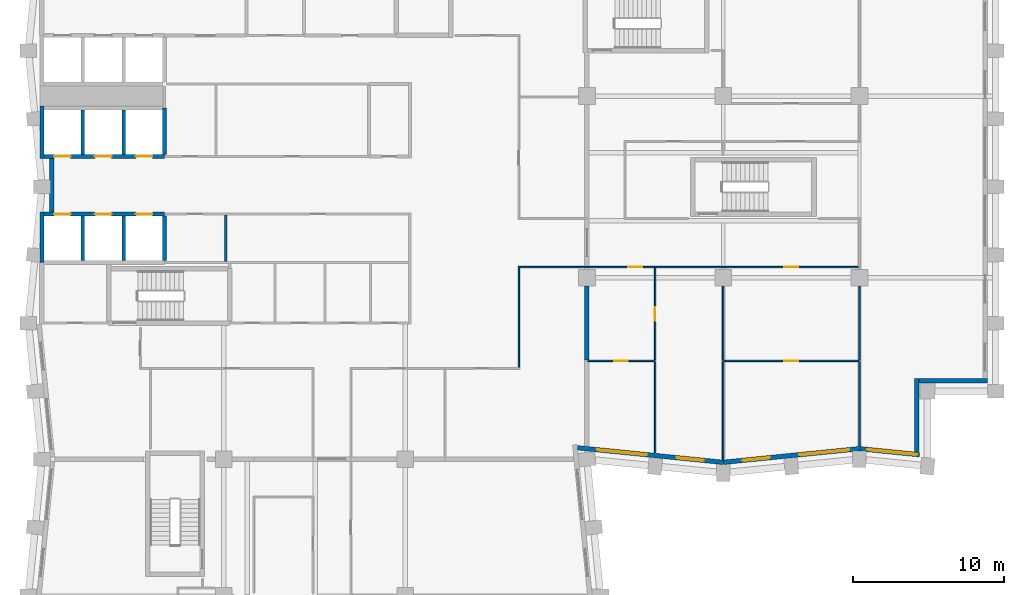
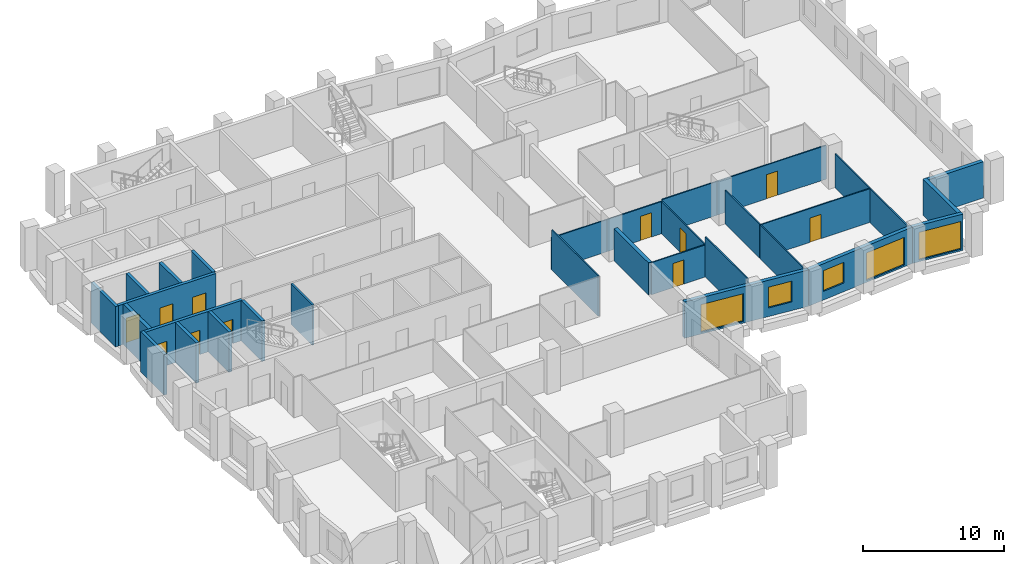
# One storey, part 5 of 10: 31 walls, 11 doors, 5 windows, 16 openings.
"""IFC4 building model written with IfcOpenShell, lengths in metres."""

from ifc_helpers import new_model, si_unit, direction, frame, frame_2d, origin, place, context, subcontext, project, spatial, rectangle, extrude, material, layer, layer_set, type_object, element, fill, save


model = new_model("IFC4")

# Units and contexts
model_context = context("Model", 3, precision=1e-05, world=origin(), true_north=direction((0.0, 1.0)))
body_context = subcontext(model_context, "Body", "Model", "MODEL_VIEW")
ifc_project = project(units=[si_unit("LENGTHUNIT", "METRE"), si_unit("AREAUNIT", "SQUARE_METRE"), si_unit("VOLUMEUNIT", "CUBIC_METRE"), si_unit("PLANEANGLEUNIT", "RADIAN"), si_unit("MASSUNIT", "GRAM", prefix="KILO")], contexts=[model_context])

# Site, building, storey
site_placement = place(None, origin())
site = spatial("IfcSite", under=ifc_project, at=site_placement, CompositionType="ELEMENT")
building_placement = place(site_placement, origin())
building = spatial("IfcBuilding", under=site, at=building_placement, Name="Brondeck Convention Tower", CompositionType="ELEMENT")
storey_placement = place(building_placement, frame((0.0, 0.0, 173.800048828125)))
storey = spatial("IfcBuildingStorey", under=building, at=storey_placement, Name="L42", CompositionType="ELEMENT", Elevation=173.800048828125)

# Walls
ifc_material_1 = material(Name="Concrete compartment wall C30/37", Category="concrete")
ifc_layer_1 = layer(ifc_material_1, 0.300048828125)
ifc_layer_set_1 = layer_set([ifc_layer_1], Name="Compartment wall 300")
wall_type_1 = type_object("IfcWallType", Name="Compartment wall 300", PredefinedType="PARTITIONING", material=ifc_layer_set_1)
wall_1_placement = place(storey_placement, frame((36.0, 33.550048828125, 0.0), z_axis=(0.0, 0.0, 1.0), x_axis=(0.0, 1.0, 0.0)))
element("IfcWall", 1, at=wall_1_placement, inside=storey, type_object=wall_type_1, Name="FLR-L42-W043", PredefinedType="PARTITIONING", context=body_context, shape_type="SweptSolid", body=[
    extrude(rectangle(XDim=4.89501953125, YDim=0.300048828125, at=frame_2d((2.447509765625, 0.0))), origin(), (0.0, 0.0, 1.0), 2.780029296875),
])
ifc_material_2 = material(Name="Concrete C70/85", Category="concrete")
ifc_layer_2 = layer(ifc_material_2, 0.300048828125)
ifc_layer_set_2 = layer_set([ifc_layer_2], Name="Core outer wall 300 Concrete C70/85")
wall_type_2 = type_object("IfcWallType", Name="Core outer wall 300 Concrete C70/85", PredefinedType="SHEAR", material=ifc_layer_set_2)
wall_2_placement = place(storey_placement, frame((0.64990234375, 43.324951171875, 0.0), z_axis=(0.0, 0.0, 1.0), x_axis=(0.0, 1.0, 0.0)))
element("IfcWall", 2, at=wall_2_placement, inside=storey, type_object=wall_type_2, Name="L42 core wall", PredefinedType="SHEAR", context=body_context, shape_type="SweptSolid", body=[
    extrude(rectangle(XDim=3.550048828125, YDim=0.300048828125, at=frame_2d((1.77490234375, 0.0))), origin(), (0.0, 0.0, 1.0), 3.5),
])
ifc_material_3 = material(Name="Fire-rated gypsum board partition")
ifc_layer_3 = layer(ifc_material_3, 0.14990234375)
ifc_layer_set_3 = layer_set([ifc_layer_3], Name="Core partition 150 EI 60")
wall_type_3 = type_object("IfcWallType", Name="Core partition 150 EI 60", PredefinedType="PARTITIONING", material=ifc_layer_set_3)
wall_3_placement = place(storey_placement, frame((12.14990234375, 40.074951171875, 0.0), z_axis=(0.0, 0.0, 1.0), x_axis=(0.0, 1.0, 0.0)))
element("IfcWall", 3, at=wall_3_placement, inside=storey, type_object=wall_type_3, Name="L42 core wall", PredefinedType="PARTITIONING", context=body_context, shape_type="SweptSolid", body=[
    extrude(rectangle(XDim=3.050048828125, YDim=0.14990234375, at=frame_2d((1.52490234375, 0.0))), origin(), (0.0, 0.0, 1.0), 3.5),
])

# Wall, openings, windows
ifc_material_4 = material(Name="Precast concrete C50/60 bronze finish", Category="concrete")
ifc_layer_4 = layer(ifc_material_4, 0.070068359375, Name="Bronze precast facing")
ifc_material_5 = material(Name="Mineral wool")
ifc_layer_5 = layer(ifc_material_5, 0.159912109375, Name="Insulation")
ifc_material_6 = material(Name="Concrete C35/45", Category="concrete")
ifc_layer_6 = layer(ifc_material_6, 0.070068359375, Name="Backing")
ifc_layer_set_4 = layer_set([ifc_layer_4, ifc_layer_5, ifc_layer_6], Name="External infill wall, precast concrete C50/60 bronze facing")
wall_type_4 = type_object("IfcWallType", Name="External infill wall, precast concrete C50/60 bronze facing", PredefinedType="SOLIDWALL", material=ifc_layer_set_4)
wall_4_placement = place(storey_placement, frame((45.014892578125, 26.802001953125, 0.0), z_axis=(0.0, 0.0, 1.0), x_axis=(-0.995037689759, 0.099498723402, 0.0)))
wall_4 = element("IfcWall", 4, at=wall_4_placement, inside=storey, type_object=wall_type_4, Name="ENV-EW-L42-P1-A-S-00", PredefinedType="SOLIDWALL", context=body_context, shape_type="SweptSolid", body=[
    extrude(rectangle(XDim=9.677490234375, YDim=0.300048828125, at=frame_2d((4.8388671875, 0.0))), origin(), (0.0, 0.0, 1.0), 3.14990234375),
])
opening_1_placement = place(wall_4_placement, frame((1.30615234375, 0.0, 0.75)))
opening_1 = element("IfcOpeningElement", 5, at=opening_1_placement, cuts=wall_4, Name="Opening W10", PredefinedType="OPENING", context=body_context, shape_type="SweptSolid", body=[
    extrude(rectangle(XDim=1.800048828125, YDim=1.800048828125, at=frame_2d((0.89990234375, 0.89990234375))), frame((0.0, 0.159912109375, 0.0), z_axis=(0.0, -1.0, 0.0), x_axis=(1.0, 0.0, 0.0)), (0.0, 0.0, 1.0), 0.320068359375),
])
opening_2_placement = place(wall_4_placement, frame((5.07861328125, 0.0, 0.14990234375)))
opening_2 = element("IfcOpeningElement", 6, at=opening_2_placement, cuts=wall_4, Name="Opening W9", PredefinedType="OPENING", context=body_context, shape_type="SweptSolid", body=[
    extrude(rectangle(XDim=3.300048828125, YDim=2.39990234375, at=frame_2d((1.64990234375, 1.199951171875))), frame((0.0, 0.159912109375, 0.0), z_axis=(0.0, -1.0, 0.0), x_axis=(1.0, 0.0, 0.0)), (0.0, 0.0, 1.0), 0.320068359375),
])
ifc_material_7 = material(Name="Bronze tinted double glazing", Category="glass")
window_type_1 = type_object("IfcWindowType", Name="Glazed flute window, bronze tinted", PartitioningType="SINGLE_PANEL", PredefinedType="WINDOW", material=ifc_material_7)
window_1_placement = place(opening_2_placement, origin())
window_1 = element("IfcWindow", 7, at=window_1_placement, inside=storey, type_object=window_type_1, Name="ENV-WN-L42-P1-A-S-00", OverallHeight=2.39990234375, OverallWidth=3.300048828125, PartitioningType="SINGLE_PANEL", PredefinedType="WINDOW", context=body_context, shape_type="SweptSolid", body=[
    extrude(rectangle(XDim=3.300048828125, YDim=2.39990234375, at=frame_2d((1.64990234375, 1.199951171875))), frame((0.0, 0.030029296875, 0.0), z_axis=(0.0, -1.0, 0.0), x_axis=(1.0, 0.0, 0.0)), (0.0, 0.0, 1.0), 0.06005859375),
])
fill(opening_2, window_1)
window_type_2 = type_object("IfcWindowType", Name="Punched window, bronze tinted", PartitioningType="SINGLE_PANEL", PredefinedType="WINDOW", material=ifc_material_7)
window_2_placement = place(opening_1_placement, origin())
window_2 = element("IfcWindow", 8, at=window_2_placement, inside=storey, type_object=window_type_2, Name="ENV-WN-L42-P1-A-S-01", OverallHeight=1.800048828125, OverallWidth=1.800048828125, PartitioningType="SINGLE_PANEL", PredefinedType="WINDOW", context=body_context, shape_type="SweptSolid", body=[
    extrude(rectangle(XDim=1.800048828125, YDim=1.800048828125, at=frame_2d((0.89990234375, 0.89990234375))), frame((0.0, 0.030029296875, 0.0), z_axis=(0.0, -1.0, 0.0), x_axis=(1.0, 0.0, 0.0)), (0.0, 0.0, 1.0), 0.06005859375),
])
fill(opening_1, window_2)

wall_5_placement = place(storey_placement, frame((54.014892578125, 27.705078125, 0.0), z_axis=(0.0, 0.0, 1.0), x_axis=(-0.995035316196, -0.099522457379, 0.0)))
wall_5 = element("IfcWall", 9, at=wall_5_placement, inside=storey, type_object=wall_type_4, Name="ENV-EW-L42-P1-A-S-02", PredefinedType="SOLIDWALL", context=body_context, shape_type="SweptSolid", body=[
    extrude(rectangle(XDim=9.030029296875, YDim=0.300048828125, at=frame_2d((4.51513671875, 0.0))), origin(), (0.0, 0.0, 1.0), 3.14990234375),
])
opening_3_placement = place(wall_5_placement, frame((0.6962890625, 0.0, 0.14990234375)))
opening_3 = element("IfcOpeningElement", 10, at=opening_3_placement, cuts=wall_5, Name="Opening W9", PredefinedType="OPENING", context=body_context, shape_type="SweptSolid", body=[
    extrude(rectangle(XDim=3.300048828125, YDim=2.39990234375, at=frame_2d((1.64990234375, 1.199951171875))), frame((0.0, 0.159912109375, 0.0), z_axis=(0.0, -1.0, 0.0), x_axis=(1.0, 0.0, 0.0)), (0.0, 0.0, 1.0), 0.320068359375),
])
opening_4_placement = place(wall_5_placement, frame((5.968505859375, 0.0, 0.75)))
opening_4 = element("IfcOpeningElement", 11, at=opening_4_placement, cuts=wall_5, Name="Opening W10", PredefinedType="OPENING", context=body_context, shape_type="SweptSolid", body=[
    extrude(rectangle(XDim=1.800048828125, YDim=1.800048828125, at=frame_2d((0.89990234375, 0.89990234375))), frame((0.0, 0.159912109375, 0.0), z_axis=(0.0, -1.0, 0.0), x_axis=(1.0, 0.0, 0.0)), (0.0, 0.0, 1.0), 0.320068359375),
])
window_3_placement = place(opening_3_placement, origin())
window_3 = element("IfcWindow", 12, at=window_3_placement, inside=storey, type_object=window_type_1, Name="ENV-WN-L42-P1-A-S-03", OverallHeight=2.39990234375, OverallWidth=3.300048828125, PartitioningType="SINGLE_PANEL", PredefinedType="WINDOW", context=body_context, shape_type="SweptSolid", body=[
    extrude(rectangle(XDim=3.300048828125, YDim=2.39990234375, at=frame_2d((1.64990234375, 1.199951171875))), frame((0.0, 0.030029296875, 0.0), z_axis=(0.0, -1.0, 0.0), x_axis=(1.0, 0.0, 0.0)), (0.0, 0.0, 1.0), 0.06005859375),
])
fill(opening_3, window_3)
window_4_placement = place(opening_4_placement, origin())
window_4 = element("IfcWindow", 13, at=window_4_placement, inside=storey, type_object=window_type_2, Name="ENV-WN-L42-P1-A-S-02", OverallHeight=1.800048828125, OverallWidth=1.800048828125, PartitioningType="SINGLE_PANEL", PredefinedType="WINDOW", context=body_context, shape_type="SweptSolid", body=[
    extrude(rectangle(XDim=1.800048828125, YDim=1.800048828125, at=frame_2d((0.89990234375, 0.89990234375))), frame((0.0, 0.030029296875, 0.0), z_axis=(0.0, -1.0, 0.0), x_axis=(1.0, 0.0, 0.0)), (0.0, 0.0, 1.0), 0.06005859375),
])
fill(opening_4, window_4)

# Wall, opening, window
wall_6_placement = place(storey_placement, frame((57.96484375, 27.306884765625, 0.0), z_axis=(0.0, 0.0, 1.0), x_axis=(-0.99503596767, 0.099515943658, 0.0)))
wall_6 = element("IfcWall", 14, at=wall_6_placement, inside=storey, type_object=wall_type_4, Name="ENV-EW-L42-P1-A-S-04", PredefinedType="SOLIDWALL", context=body_context, shape_type="SweptSolid", body=[
    extrude(rectangle(XDim=3.95458984375, YDim=0.300048828125, at=frame_2d((1.977294921875, 0.0))), origin(), (0.0, 0.0, 1.0), 3.14990234375),
])
opening_5_placement = place(wall_6_placement, frame((0.14990234375, 0.0, 0.14990234375)))
opening_5 = element("IfcOpeningElement", 15, at=opening_5_placement, cuts=wall_6, Name="Opening W9", PredefinedType="OPENING", context=body_context, shape_type="SweptSolid", body=[
    extrude(rectangle(XDim=3.300048828125, YDim=2.39990234375, at=frame_2d((1.64990234375, 1.199951171875))), frame((0.0, 0.159912109375, 0.0), z_axis=(0.0, -1.0, 0.0), x_axis=(1.0, 0.0, 0.0)), (0.0, 0.0, 1.0), 0.320068359375),
])
window_5_placement = place(opening_5_placement, origin())
window_5 = element("IfcWindow", 16, at=window_5_placement, inside=storey, type_object=window_type_1, Name="ENV-WN-L42-P1-A-S-04", OverallHeight=2.39990234375, OverallWidth=3.300048828125, PartitioningType="SINGLE_PANEL", PredefinedType="WINDOW", context=body_context, shape_type="SweptSolid", body=[
    extrude(rectangle(XDim=3.300048828125, YDim=2.39990234375, at=frame_2d((1.64990234375, 1.199951171875))), frame((0.0, 0.030029296875, 0.0), z_axis=(0.0, -1.0, 0.0), x_axis=(1.0, 0.0, 0.0)), (0.0, 0.0, 1.0), 0.06005859375),
])
fill(opening_5, window_5)

# Walls
wall_7_placement = place(storey_placement, frame((57.800048828125, 32.35009765625, 0.0), z_axis=(0.0, 0.0, 1.0), x_axis=(0.0, -1.0, 0.0)))
element("IfcWall", 17, at=wall_7_placement, inside=storey, type_object=wall_type_4, Name="ENV-EW-L42-P1-NC-SEA63-01", PredefinedType="SOLIDWALL", context=body_context, shape_type="SweptSolid", body=[
    extrude(rectangle(XDim=4.87060546875, YDim=0.300048828125, at=frame_2d((2.435302734375, 0.0))), origin(), (0.0, 0.0, 1.0), 3.14990234375),
])
wall_8_placement = place(storey_placement, frame((62.449951171875, 32.199951171875, 0.0), z_axis=(0.0, 0.0, 1.0), x_axis=(-1.0, 0.0, 0.0)))
element("IfcWall", 18, at=wall_8_placement, inside=storey, type_object=wall_type_4, Name="ENV-EW-L42-P1-NC-SEA63-02", PredefinedType="SOLIDWALL", context=body_context, shape_type="SweptSolid", body=[
    extrude(rectangle(XDim=4.501953125, YDim=0.300048828125, at=frame_2d((2.2509765625, 0.0))), origin(), (0.0, 0.0, 1.0), 3.14990234375),
])

# Wall, openings, doors
ifc_layer_7 = layer(ifc_material_2, 0.25)
ifc_layer_set_5 = layer_set([ifc_layer_7], Name="Lift shaft wall 250 Concrete C70/85")
wall_type_5 = type_object("IfcWallType", Name="Lift shaft wall 250 Concrete C70/85", PredefinedType="SHEAR", material=ifc_layer_set_5)
wall_9_placement = place(storey_placement, frame((0.125, 43.199951171875, 0.0), z_axis=(0.0, 0.0, 1.0), x_axis=(1.0, 0.0, 0.0)))
wall_9 = element("IfcWall", 19, at=wall_9_placement, inside=storey, type_object=wall_type_5, Name="L42 core wall", PredefinedType="SHEAR", context=body_context, shape_type="SweptSolid", body=[
    extrude(rectangle(XDim=7.97509765625, YDim=0.25, at=frame_2d((3.987548828125, 0.0))), origin(), (0.0, 0.0, 1.0), 3.5),
])
opening_6_placement = place(wall_9_placement, frame((0.675048828125, 0.0, 0.0)))
opening_6 = element("IfcOpeningElement", 20, at=opening_6_placement, cuts=wall_9, Name="Opening C23-24", PredefinedType="OPENING", context=body_context, shape_type="SweptSolid", body=[
    extrude(rectangle(XDim=1.10009765625, YDim=2.10009765625, at=frame_2d((0.550048828125, 1.050048828125))), frame((0.0, 0.135009765625, 0.0), z_axis=(0.0, -1.0, 0.0), x_axis=(1.0, 0.0, 0.0)), (0.0, 0.0, 1.0), 0.27001953125),
])
opening_7_placement = place(wall_9_placement, frame((3.375, 0.0, 0.0)))
opening_7 = element("IfcOpeningElement", 21, at=opening_7_placement, cuts=wall_9, Name="Opening C23-25", PredefinedType="OPENING", context=body_context, shape_type="SweptSolid", body=[
    extrude(rectangle(XDim=1.10009765625, YDim=2.10009765625, at=frame_2d((0.550048828125, 1.050048828125))), frame((0.0, 0.135009765625, 0.0), z_axis=(0.0, -1.0, 0.0), x_axis=(1.0, 0.0, 0.0)), (0.0, 0.0, 1.0), 0.27001953125),
])
opening_8_placement = place(wall_9_placement, frame((6.074951171875, 0.0, 0.0)))
opening_8 = element("IfcOpeningElement", 22, at=opening_8_placement, cuts=wall_9, Name="Opening C23-26", PredefinedType="OPENING", context=body_context, shape_type="SweptSolid", body=[
    extrude(rectangle(XDim=1.10009765625, YDim=2.10009765625, at=frame_2d((0.550048828125, 1.050048828125))), frame((0.0, 0.135009765625, 0.0), z_axis=(0.0, -1.0, 0.0), x_axis=(1.0, 0.0, 0.0)), (0.0, 0.0, 1.0), 0.27001953125),
])
ifc_material_8 = material(Name="Stainless steel lift door", Category="steel")
door_type_1 = type_object("IfcDoorType", Name="Lift landing door 1100x2100 EI 180", OperationType="DOUBLE_DOOR_SLIDING", PredefinedType="DOOR", material=ifc_material_8)
door_1_placement = place(opening_6_placement, origin())
door_1 = element("IfcDoor", 23, at=door_1_placement, inside=storey, type_object=door_type_1, Name="L42 Lift landing door HR1", OperationType="DOUBLE_DOOR_SLIDING", OverallHeight=2.10009765625, OverallWidth=1.10009765625, PredefinedType="DOOR", context=body_context, shape_type="SweptSolid", body=[
    extrude(rectangle(XDim=1.10009765625, YDim=2.10009765625, at=frame_2d((0.550048828125, 1.050048828125))), frame((0.0, 0.02490234375, 0.0), z_axis=(0.0, -1.0, 0.0), x_axis=(1.0, 0.0, 0.0)), (0.0, 0.0, 1.0), 0.050048828125),
])
fill(opening_6, door_1)
door_2_placement = place(opening_7_placement, origin())
door_2 = element("IfcDoor", 24, at=door_2_placement, inside=storey, type_object=door_type_1, Name="L42 Lift landing door HR2", OperationType="DOUBLE_DOOR_SLIDING", OverallHeight=2.10009765625, OverallWidth=1.10009765625, PredefinedType="DOOR", context=body_context, shape_type="SweptSolid", body=[
    extrude(rectangle(XDim=1.10009765625, YDim=2.10009765625, at=frame_2d((0.550048828125, 1.050048828125))), frame((0.0, 0.02490234375, 0.0), z_axis=(0.0, -1.0, 0.0), x_axis=(1.0, 0.0, 0.0)), (0.0, 0.0, 1.0), 0.050048828125),
])
fill(opening_7, door_2)
door_3_placement = place(opening_8_placement, origin())
door_3 = element("IfcDoor", 25, at=door_3_placement, inside=storey, type_object=door_type_1, Name="L42 Lift landing door HR3", OperationType="DOUBLE_DOOR_SLIDING", OverallHeight=2.10009765625, OverallWidth=1.10009765625, PredefinedType="DOOR", context=body_context, shape_type="SweptSolid", body=[
    extrude(rectangle(XDim=1.10009765625, YDim=2.10009765625, at=frame_2d((0.550048828125, 1.050048828125))), frame((0.0, 0.02490234375, 0.0), z_axis=(0.0, -1.0, 0.0), x_axis=(1.0, 0.0, 0.0)), (0.0, 0.0, 1.0), 0.050048828125),
])
fill(opening_8, door_3)

wall_10_placement = place(storey_placement, frame((0.125, 47.0, 0.0), z_axis=(0.0, 0.0, 1.0), x_axis=(1.0, 0.0, 0.0)))
wall_10 = element("IfcWall", 26, at=wall_10_placement, inside=storey, type_object=wall_type_5, Name="L42 core wall", PredefinedType="SHEAR", context=body_context, shape_type="SweptSolid", body=[
    extrude(rectangle(XDim=7.97509765625, YDim=0.25, at=frame_2d((3.987548828125, 0.0))), origin(), (0.0, 0.0, 1.0), 3.5),
])
opening_9_placement = place(wall_10_placement, frame((0.675048828125, 0.0, 0.0)))
opening_9 = element("IfcOpeningElement", 27, at=opening_9_placement, cuts=wall_10, Name="Opening C23-27", PredefinedType="OPENING", context=body_context, shape_type="SweptSolid", body=[
    extrude(rectangle(XDim=1.10009765625, YDim=2.10009765625, at=frame_2d((0.550048828125, 1.050048828125))), frame((0.0, 0.135009765625, 0.0), z_axis=(0.0, -1.0, 0.0), x_axis=(1.0, 0.0, 0.0)), (0.0, 0.0, 1.0), 0.27001953125),
])
opening_10_placement = place(wall_10_placement, frame((3.375, 0.0, 0.0)))
opening_10 = element("IfcOpeningElement", 28, at=opening_10_placement, cuts=wall_10, Name="Opening C23-28", PredefinedType="OPENING", context=body_context, shape_type="SweptSolid", body=[
    extrude(rectangle(XDim=1.10009765625, YDim=2.10009765625, at=frame_2d((0.550048828125, 1.050048828125))), frame((0.0, 0.135009765625, 0.0), z_axis=(0.0, -1.0, 0.0), x_axis=(1.0, 0.0, 0.0)), (0.0, 0.0, 1.0), 0.27001953125),
])
opening_11_placement = place(wall_10_placement, frame((6.074951171875, 0.0, 0.0)))
opening_11 = element("IfcOpeningElement", 29, at=opening_11_placement, cuts=wall_10, Name="Opening C23-29", PredefinedType="OPENING", context=body_context, shape_type="SweptSolid", body=[
    extrude(rectangle(XDim=1.10009765625, YDim=2.10009765625, at=frame_2d((0.550048828125, 1.050048828125))), frame((0.0, 0.135009765625, 0.0), z_axis=(0.0, -1.0, 0.0), x_axis=(1.0, 0.0, 0.0)), (0.0, 0.0, 1.0), 0.27001953125),
])
door_4_placement = place(opening_9_placement, origin())
door_4 = element("IfcDoor", 30, at=door_4_placement, inside=storey, type_object=door_type_1, Name="L42 Lift landing door HR4", OperationType="DOUBLE_DOOR_SLIDING", OverallHeight=2.10009765625, OverallWidth=1.10009765625, PredefinedType="DOOR", context=body_context, shape_type="SweptSolid", body=[
    extrude(rectangle(XDim=1.10009765625, YDim=2.10009765625, at=frame_2d((0.550048828125, 1.050048828125))), frame((0.0, 0.02490234375, 0.0), z_axis=(0.0, -1.0, 0.0), x_axis=(1.0, 0.0, 0.0)), (0.0, 0.0, 1.0), 0.050048828125),
])
fill(opening_9, door_4)
door_5_placement = place(opening_10_placement, origin())
door_5 = element("IfcDoor", 31, at=door_5_placement, inside=storey, type_object=door_type_1, Name="L42 Lift landing door HR5", OperationType="DOUBLE_DOOR_SLIDING", OverallHeight=2.10009765625, OverallWidth=1.10009765625, PredefinedType="DOOR", context=body_context, shape_type="SweptSolid", body=[
    extrude(rectangle(XDim=1.10009765625, YDim=2.10009765625, at=frame_2d((0.550048828125, 1.050048828125))), frame((0.0, 0.02490234375, 0.0), z_axis=(0.0, -1.0, 0.0), x_axis=(1.0, 0.0, 0.0)), (0.0, 0.0, 1.0), 0.050048828125),
])
fill(opening_10, door_5)
door_6_placement = place(opening_11_placement, origin())
door_6 = element("IfcDoor", 32, at=door_6_placement, inside=storey, type_object=door_type_1, Name="L42 Lift landing door HR6", OperationType="DOUBLE_DOOR_SLIDING", OverallHeight=2.10009765625, OverallWidth=1.10009765625, PredefinedType="DOOR", context=body_context, shape_type="SweptSolid", body=[
    extrude(rectangle(XDim=1.10009765625, YDim=2.10009765625, at=frame_2d((0.550048828125, 1.050048828125))), frame((0.0, 0.02490234375, 0.0), z_axis=(0.0, -1.0, 0.0), x_axis=(1.0, 0.0, 0.0)), (0.0, 0.0, 1.0), 0.050048828125),
])
fill(opening_11, door_6)

# Walls
wall_11_placement = place(storey_placement, frame((0.0, 40.0, 0.0), z_axis=(0.0, 0.0, 1.0), x_axis=(0.0, 1.0, 0.0)))
element("IfcWall", 33, at=wall_11_placement, inside=storey, type_object=wall_type_5, Name="L42 core wall", PredefinedType="SHEAR", context=body_context, shape_type="SweptSolid", body=[
    extrude(rectangle(XDim=3.324951171875, YDim=0.25, at=frame_2d((1.66259765625, 0.0))), origin(), (0.0, 0.0, 1.0), 3.5),
])
wall_12_placement = place(storey_placement, frame((0.0, 46.875, 0.0), z_axis=(0.0, 0.0, 1.0), x_axis=(0.0, 1.0, 0.0)))
element("IfcWall", 34, at=wall_12_placement, inside=storey, type_object=wall_type_5, Name="L42 core wall", PredefinedType="SHEAR", context=body_context, shape_type="SweptSolid", body=[
    extrude(rectangle(XDim=3.47509765625, YDim=0.25, at=frame_2d((1.737548828125, 0.0))), origin(), (0.0, 0.0, 1.0), 3.5),
])
for number, where, z_axis, x_axis, name in (
    (35, (2.699951171875, 40.125, 0.0), (0.0, 0.0, 1.0), (0.0, 1.0, 0.0), "L42 core wall"),
    (36, (2.699951171875, 47.125, 0.0), (0.0, 0.0, 1.0), (0.0, 1.0, 0.0), "L42 core wall"),
    (37, (5.39990234375, 40.125, 0.0), (0.0, 0.0, 1.0), (0.0, 1.0, 0.0), "L42 core wall"),
    (38, (5.39990234375, 47.125, 0.0), (0.0, 0.0, 1.0), (0.0, 1.0, 0.0), "L42 core wall"),
    (39, (8.10009765625, 40.125, 0.0), (0.0, 0.0, 1.0), (0.0, 1.0, 0.0), "L42 core wall"),
):
    element("IfcWall", number, at=place(storey_placement, frame(where, z_axis=z_axis, x_axis=x_axis)), inside=storey, type_object=wall_type_5, Name=name, PredefinedType="SHEAR", context=body_context, shape_type="SweptSolid", body=[
        extrude(rectangle(XDim=2.949951171875, YDim=0.25, at=frame_2d((1.47509765625, 0.0))), origin(), (0.0, 0.0, 1.0), 3.5),
    ])
wall_13_placement = place(storey_placement, frame((8.10009765625, 47.125, 0.0), z_axis=(0.0, 0.0, 1.0), x_axis=(0.0, 1.0, 0.0)))
element("IfcWall", 40, at=wall_13_placement, inside=storey, type_object=wall_type_5, Name="L42 core wall", PredefinedType="SHEAR", context=body_context, shape_type="SweptSolid", body=[
    extrude(rectangle(XDim=3.074951171875, YDim=0.25, at=frame_2d((1.53759765625, 0.0))), origin(), (0.0, 0.0, 1.0), 3.5),
])
ifc_material_9 = material(Name="Gypsum board partition on steel studs", Category="steel")
ifc_layer_8 = layer(ifc_material_9, 0.10009765625)
ifc_layer_set_6 = layer_set([ifc_layer_8], Name="Room partition 100")
wall_type_6 = type_object("IfcWallType", Name="Room partition 100", PredefinedType="PARTITIONING", material=ifc_layer_set_6)
wall_14_placement = place(storey_placement, frame((54.0, 27.874267578125, 0.0), z_axis=(0.0, 0.0, 1.0), x_axis=(0.0, 1.0, 0.0)))
element("IfcWall", 41, at=wall_14_placement, inside=storey, type_object=wall_type_6, Name="FLR-L42-W029", PredefinedType="PARTITIONING", context=body_context, shape_type="SweptSolid", body=[
    extrude(rectangle(XDim=5.57568359375, YDim=0.10009765625, at=frame_2d((2.787841796875, 0.0))), origin(), (0.0, 0.0, 1.0), 2.929931640625),
])
wall_15_placement = place(storey_placement, frame((40.5, 33.449951171875, 0.0), z_axis=(0.0, 0.0, 1.0), x_axis=(0.0, -1.0, 0.0)))
element("IfcWall", 42, at=wall_15_placement, inside=storey, type_object=wall_type_6, Name="FLR-L42-W039", PredefinedType="PARTITIONING", context=body_context, shape_type="SweptSolid", body=[
    extrude(rectangle(XDim=6.025634765625, YDim=0.10009765625, at=frame_2d((3.0126953125, 0.0))), origin(), (0.0, 0.0, 1.0), 3.47998046875),
])
wall_16_placement = place(storey_placement, frame((45.0, 33.449951171875, 0.0), z_axis=(0.0, 0.0, 1.0), x_axis=(0.0, -1.0, 0.0)))
element("IfcWall", 43, at=wall_16_placement, inside=storey, type_object=wall_type_6, Name="FLR-L42-W040", PredefinedType="PARTITIONING", context=body_context, shape_type="SweptSolid", body=[
    extrude(rectangle(XDim=6.475830078125, YDim=0.10009765625, at=frame_2d((3.23779296875, 0.0))), origin(), (0.0, 0.0, 1.0), 2.929931640625),
])

# Wall, opening, door
wall_17_placement = place(storey_placement, frame((40.449951171875, 33.5, 0.0), z_axis=(0.0, 0.0, 1.0), x_axis=(-1.0, 0.0, 0.0)))
wall_17 = element("IfcWall", 44, at=wall_17_placement, inside=storey, type_object=wall_type_6, Name="FLR-L42-W041", PredefinedType="PARTITIONING", context=body_context, shape_type="SweptSolid", body=[
    extrude(rectangle(XDim=4.39990234375, YDim=0.10009765625, at=frame_2d((2.199951171875, 0.0))), origin(), (0.0, 0.0, 1.0), 2.780029296875),
])
opening_12_placement = place(wall_17_placement, frame((1.75, 0.0, 0.0)))
opening_12 = element("IfcOpeningElement", 45, at=opening_12_placement, cuts=wall_17, Name="Opening OF-H-007", PredefinedType="OPENING", context=body_context, shape_type="SweptSolid", body=[
    extrude(rectangle(XDim=0.89990234375, YDim=2.10009765625, at=frame_2d((0.449951171875, 1.050048828125))), frame((0.0, 0.06005859375, 0.0), z_axis=(0.0, -1.0, 0.0), x_axis=(1.0, 0.0, 0.0)), (0.0, 0.0, 1.0), 0.1201171875),
])
ifc_material_10 = material(Name="Solid timber door leaf", Category="wood")
door_type_2 = type_object("IfcDoorType", Name="Single door 900", OperationType="NOTDEFINED", PredefinedType="DOOR", material=ifc_material_10)
door_7_placement = place(opening_12_placement, origin())
door_7 = element("IfcDoor", 46, at=door_7_placement, inside=storey, type_object=door_type_2, Name="Door OF-H-007", OperationType="SINGLE_SWING_LEFT", OverallHeight=2.10009765625, OverallWidth=0.89990234375, PredefinedType="DOOR", context=body_context, shape_type="SweptSolid", body=[
    extrude(rectangle(XDim=0.89990234375, YDim=2.10009765625, at=frame_2d((0.449951171875, 1.050048828125))), frame((0.0, 0.02490234375, 0.0), z_axis=(0.0, -1.0, 0.0), x_axis=(1.0, 0.0, 0.0)), (0.0, 0.0, 1.0), 0.050048828125),
])
fill(opening_12, door_7)

wall_18_placement = place(storey_placement, frame((53.949951171875, 33.5, 0.0), z_axis=(0.0, 0.0, 1.0), x_axis=(-1.0, 0.0, 0.0)))
wall_18 = element("IfcWall", 47, at=wall_18_placement, inside=storey, type_object=wall_type_6, Name="FLR-L42-W042", PredefinedType="PARTITIONING", context=body_context, shape_type="SweptSolid", body=[
    extrude(rectangle(XDim=8.89990234375, YDim=0.10009765625, at=frame_2d((4.449951171875, 0.0))), origin(), (0.0, 0.0, 1.0), 2.929931640625),
])
opening_13_placement = place(wall_18_placement, frame((4.0, 0.0, 0.0)))
opening_13 = element("IfcOpeningElement", 48, at=opening_13_placement, cuts=wall_18, Name="Opening OF-H-010", PredefinedType="OPENING", context=body_context, shape_type="SweptSolid", body=[
    extrude(rectangle(XDim=0.89990234375, YDim=2.10009765625, at=frame_2d((0.449951171875, 1.050048828125))), frame((0.0, 0.06005859375, 0.0), z_axis=(0.0, -1.0, 0.0), x_axis=(1.0, 0.0, 0.0)), (0.0, 0.0, 1.0), 0.1201171875),
])
door_8_placement = place(opening_13_placement, origin())
door_8 = element("IfcDoor", 49, at=door_8_placement, inside=storey, type_object=door_type_2, Name="Door OF-H-010", OperationType="SINGLE_SWING_LEFT", OverallHeight=2.10009765625, OverallWidth=0.89990234375, PredefinedType="DOOR", context=body_context, shape_type="SweptSolid", body=[
    extrude(rectangle(XDim=0.89990234375, YDim=2.10009765625, at=frame_2d((0.449951171875, 1.050048828125))), frame((0.0, 0.02490234375, 0.0), z_axis=(0.0, -1.0, 0.0), x_axis=(1.0, 0.0, 0.0)), (0.0, 0.0, 1.0), 0.050048828125),
])
fill(opening_13, door_8)

# Walls
for number, where, z_axis, x_axis, name in (
    (50, (54.0, 33.550048828125, 0.0), (0.0, 0.0, 1.0), (0.0, 1.0, 0.0), "FLR-L42-W044"),
    (51, (45.0, 38.445068359375, 0.0), (0.0, 0.0, 1.0), (0.0, -1.0, 0.0), "FLR-L42-W045"),
):
    element("IfcWall", number, at=place(storey_placement, frame(where, z_axis=z_axis, x_axis=x_axis)), inside=storey, type_object=wall_type_6, Name=name, PredefinedType="PARTITIONING", context=body_context, shape_type="SweptSolid", body=[
        extrude(rectangle(XDim=4.89501953125, YDim=0.10009765625, at=frame_2d((2.447509765625, 0.0))), origin(), (0.0, 0.0, 1.0), 2.929931640625),
    ])
wall_19_placement = place(storey_placement, frame((31.5, 39.64990234375, 0.0), z_axis=(0.0, 0.0, 1.0), x_axis=(0.0, -1.0, 0.0)))
element("IfcWall", 52, at=wall_19_placement, inside=storey, type_object=wall_type_6, Name="FLR-L42-W046", PredefinedType="PARTITIONING", context=body_context, shape_type="SweptSolid", body=[
    extrude(rectangle(XDim=6.599853515625, YDim=0.10009765625, at=frame_2d((3.2998046875, 0.0))), origin(), (0.0, 0.0, 1.0), 3.47998046875),
])

# Wall, opening, door
wall_20_placement = place(storey_placement, frame((40.5, 39.64990234375, 0.0), z_axis=(0.0, 0.0, 1.0), x_axis=(0.0, -1.0, 0.0)))
wall_20 = element("IfcWall", 53, at=wall_20_placement, inside=storey, type_object=wall_type_6, Name="FLR-L42-W047", PredefinedType="PARTITIONING", context=body_context, shape_type="SweptSolid", body=[
    extrude(rectangle(XDim=6.099853515625, YDim=0.10009765625, at=frame_2d((3.0498046875, 0.0))), origin(), (0.0, 0.0, 1.0), 2.780029296875),
])
opening_14_placement = place(wall_20_placement, frame((2.60009765625, 0.0, 0.0)))
opening_14 = element("IfcOpeningElement", 54, at=opening_14_placement, cuts=wall_20, Name="Opening OF-H-008", PredefinedType="OPENING", context=body_context, shape_type="SweptSolid", body=[
    extrude(rectangle(XDim=0.89990234375, YDim=2.10009765625, at=frame_2d((0.449951171875, 1.050048828125))), frame((0.0, 0.06005859375, 0.0), z_axis=(0.0, -1.0, 0.0), x_axis=(1.0, 0.0, 0.0)), (0.0, 0.0, 1.0), 0.1201171875),
])
door_9_placement = place(opening_14_placement, origin())
door_9 = element("IfcDoor", 55, at=door_9_placement, inside=storey, type_object=door_type_2, Name="Door OF-H-008", OperationType="SINGLE_SWING_LEFT", OverallHeight=2.10009765625, OverallWidth=0.89990234375, PredefinedType="DOOR", context=body_context, shape_type="SweptSolid", body=[
    extrude(rectangle(XDim=0.89990234375, YDim=2.10009765625, at=frame_2d((0.449951171875, 1.050048828125))), frame((0.0, 0.02490234375, 0.0), z_axis=(0.0, -1.0, 0.0), x_axis=(1.0, 0.0, 0.0)), (0.0, 0.0, 1.0), 0.050048828125),
])
fill(opening_14, door_9)

# Wall
wall_21_placement = place(storey_placement, frame((36.0, 39.699951171875, 0.0), z_axis=(0.0, 0.0, 1.0), x_axis=(-1.0, 0.0, 0.0)))
element("IfcWall", 56, at=wall_21_placement, inside=storey, type_object=wall_type_6, Name="FLR-L42-W048", PredefinedType="PARTITIONING", context=body_context, shape_type="SweptSolid", body=[
    extrude(rectangle(XDim=4.550048828125, YDim=0.10009765625, at=frame_2d((2.27490234375, 0.0))), origin(), (0.0, 0.0, 1.0), 2.780029296875),
])

# Wall, opening, door
wall_22_placement = place(storey_placement, frame((40.5, 39.699951171875, 0.0), z_axis=(0.0, 0.0, 1.0), x_axis=(-1.0, 0.0, 0.0)))
wall_22 = element("IfcWall", 57, at=wall_22_placement, inside=storey, type_object=wall_type_6, Name="FLR-L42-W049", PredefinedType="PARTITIONING", context=body_context, shape_type="SweptSolid", body=[
    extrude(rectangle(XDim=4.5, YDim=0.10009765625, at=frame_2d((2.25, 0.0))), origin(), (0.0, 0.0, 1.0), 2.780029296875),
])
opening_15_placement = place(wall_22_placement, frame((0.8544921875, 0.0, 0.0)))
opening_15 = element("IfcOpeningElement", 58, at=opening_15_placement, cuts=wall_22, Name="Opening OF-H-006", PredefinedType="OPENING", context=body_context, shape_type="SweptSolid", body=[
    extrude(rectangle(XDim=0.89990234375, YDim=2.10009765625, at=frame_2d((0.449951171875, 1.050048828125))), frame((0.0, 0.06005859375, 0.0), z_axis=(0.0, -1.0, 0.0), x_axis=(1.0, 0.0, 0.0)), (0.0, 0.0, 1.0), 0.1201171875),
])
door_10_placement = place(opening_15_placement, origin())
door_10 = element("IfcDoor", 59, at=door_10_placement, inside=storey, type_object=door_type_2, Name="Door OF-H-006", OperationType="SINGLE_SWING_LEFT", OverallHeight=2.10009765625, OverallWidth=0.89990234375, PredefinedType="DOOR", context=body_context, shape_type="SweptSolid", body=[
    extrude(rectangle(XDim=0.89990234375, YDim=2.10009765625, at=frame_2d((0.449951171875, 1.050048828125))), frame((0.0, 0.02490234375, 0.0), z_axis=(0.0, -1.0, 0.0), x_axis=(1.0, 0.0, 0.0)), (0.0, 0.0, 1.0), 0.050048828125),
])
fill(opening_15, door_10)

# Wall
wall_23_placement = place(storey_placement, frame((45.0, 39.699951171875, 0.0), z_axis=(0.0, 0.0, 1.0), x_axis=(-1.0, 0.0, 0.0)))
element("IfcWall", 60, at=wall_23_placement, inside=storey, type_object=wall_type_6, Name="FLR-L42-W050", PredefinedType="PARTITIONING", context=body_context, shape_type="SweptSolid", body=[
    extrude(rectangle(XDim=4.5, YDim=0.10009765625, at=frame_2d((2.25, 0.0))), origin(), (0.0, 0.0, 1.0), 2.929931640625),
])

# Wall, opening, door
wall_24_placement = place(storey_placement, frame((53.949951171875, 39.699951171875, 0.0), z_axis=(0.0, 0.0, 1.0), x_axis=(-1.0, 0.0, 0.0)))
wall_24 = element("IfcWall", 61, at=wall_24_placement, inside=storey, type_object=wall_type_6, Name="FLR-L42-W051", PredefinedType="PARTITIONING", context=body_context, shape_type="SweptSolid", body=[
    extrude(rectangle(XDim=8.949951171875, YDim=0.10009765625, at=frame_2d((4.47509765625, 0.0))), origin(), (0.0, 0.0, 1.0), 2.929931640625),
])
opening_16_placement = place(wall_24_placement, frame((4.0, 0.0, 0.0)))
opening_16 = element("IfcOpeningElement", 62, at=opening_16_placement, cuts=wall_24, Name="Opening OF-H-009", PredefinedType="OPENING", context=body_context, shape_type="SweptSolid", body=[
    extrude(rectangle(XDim=0.89990234375, YDim=2.10009765625, at=frame_2d((0.449951171875, 1.050048828125))), frame((0.0, 0.06005859375, 0.0), z_axis=(0.0, -1.0, 0.0), x_axis=(1.0, 0.0, 0.0)), (0.0, 0.0, 1.0), 0.1201171875),
])
door_11_placement = place(opening_16_placement, origin())
door_11 = element("IfcDoor", 63, at=door_11_placement, inside=storey, type_object=door_type_2, Name="Door OF-H-009", OperationType="SINGLE_SWING_LEFT", OverallHeight=2.10009765625, OverallWidth=0.89990234375, PredefinedType="DOOR", context=body_context, shape_type="SweptSolid", body=[
    extrude(rectangle(XDim=0.89990234375, YDim=2.10009765625, at=frame_2d((0.449951171875, 1.050048828125))), frame((0.0, 0.02490234375, 0.0), z_axis=(0.0, -1.0, 0.0), x_axis=(1.0, 0.0, 0.0)), (0.0, 0.0, 1.0), 0.050048828125),
])
fill(opening_16, door_11)

save(model, "model.ifc")
